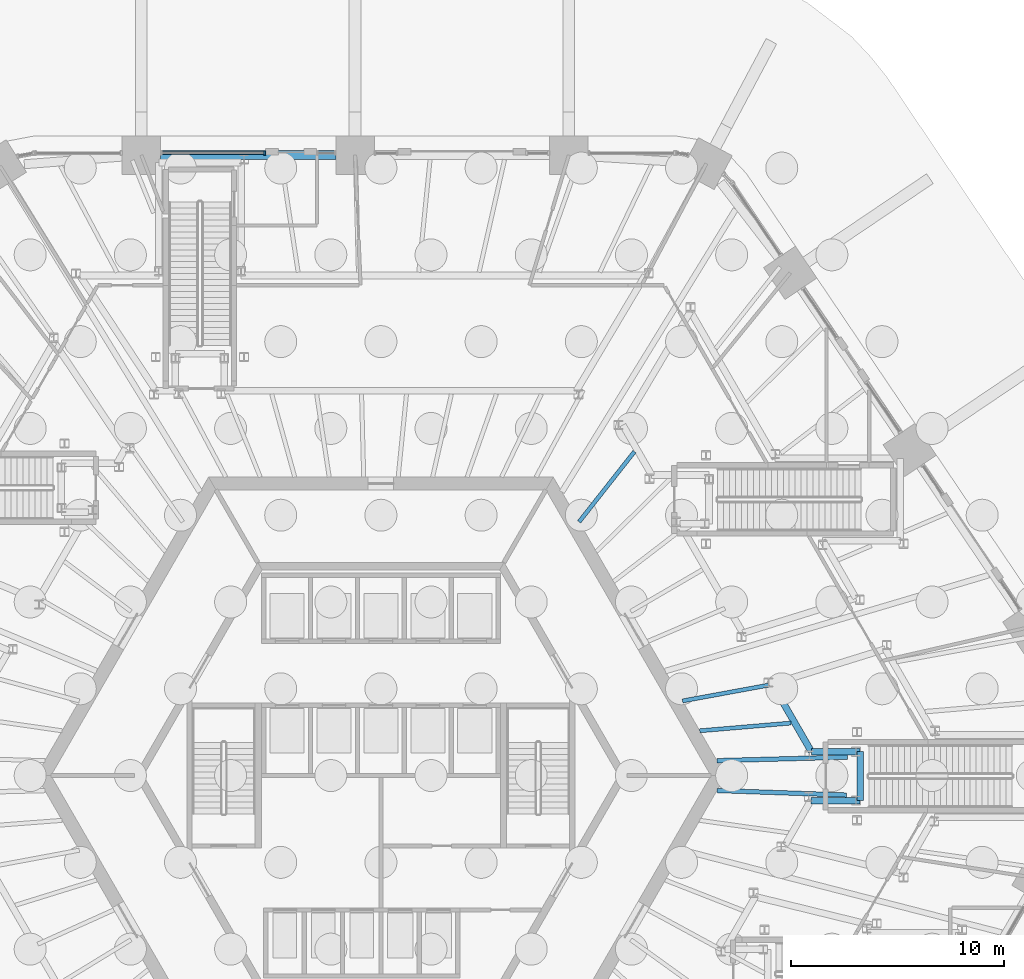
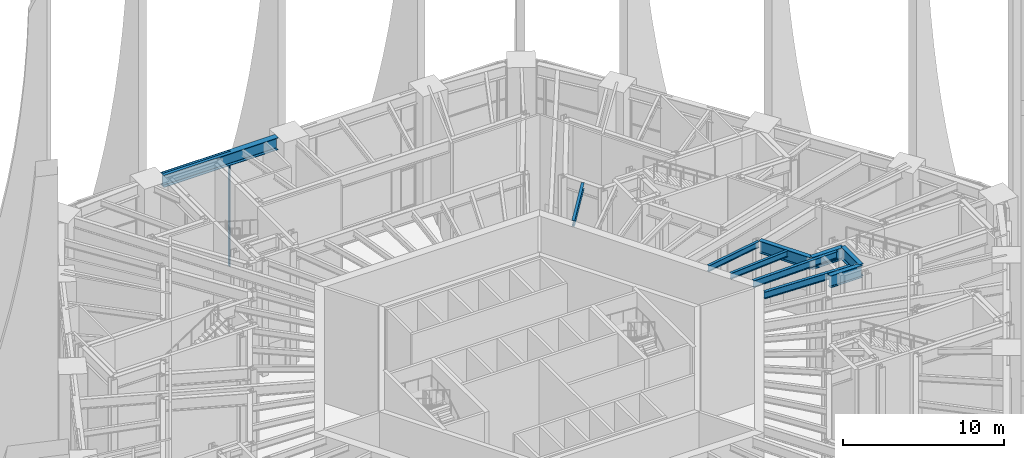
# One storey, part 11 of 43: 10 beams, 2 members, 1 element without a shape of its own.
"""IFC4 building model written with IfcOpenShell, lengths in metres."""

from ifc_helpers import new_model, si_unit, direction, frame, origin, origin_2d, place, context, subcontext, project, spatial, rectangle, i_section, extrude, material, material_profile, profile_set, type_object, element, aggregate, save


model = new_model("IFC4")

# Units and contexts
model_context = context("Model", 3, precision=1e-05, world=origin(), true_north=direction((0.0, 1.0)))
body_context = subcontext(model_context, "Body", "Model", "MODEL_VIEW")
ifc_project = project(units=[si_unit("LENGTHUNIT", "METRE"), si_unit("AREAUNIT", "SQUARE_METRE"), si_unit("VOLUMEUNIT", "CUBIC_METRE"), si_unit("PLANEANGLEUNIT", "RADIAN"), si_unit("MASSUNIT", "GRAM", prefix="KILO")], contexts=[model_context])

# Site, building, storey
site_placement = place(None, origin())
site = spatial("IfcSite", under=ifc_project, at=site_placement, CompositionType="ELEMENT")
building_placement = place(site_placement, origin())
building = spatial("IfcBuilding", under=site, at=building_placement, Name="Tarnside Tower", CompositionType="ELEMENT")
storey_placement = place(building_placement, origin())
storey = spatial("IfcBuildingStorey", under=building, at=storey_placement, Name="L00", CompositionType="ELEMENT", Elevation=0.0)

# Beams
ifc_material_1 = material(Name="Steel S355", Category="steel")
ifc_material_profile_1 = material_profile(ifc_material_1, i_section(OverallWidth=0.18994140625, OverallDepth=0.453369140625, WebThickness=0.008544921875, FlangeThickness=0.0126953125, FilletRadius=0.01025390625, at=origin_2d()), Name="UB 457x191x67")
ifc_profile_set_1 = profile_set([ifc_material_profile_1], Name="Steel S355")
beam_type_1 = type_object("IfcBeamType", Name="Floor beam UB 457x191x67", PredefinedType="BEAM", material=ifc_profile_set_1)
beam_1_placement = place(storey_placement, frame((19.23779296875, 2.4638671875, 8.523193359375), z_axis=(-0.996414931704, -0.084600732135, 0.0), x_axis=(0.084600732135, -0.996414931704, 0.0)))
element("IfcBeam", 1, at=beam_1_placement, inside=storey, type_object=beam_type_1, Name="Floor beam F6.01b", PredefinedType="BEAM", context=body_context, shape_type="SweptSolid", body=[
    extrude(i_section(OverallWidth=0.18994140625, OverallDepth=0.453369140625, WebThickness=0.008544921875, FlangeThickness=0.0126953125, FilletRadius=0.01025390625, at=origin_2d()), origin(), (0.0, 0.0, 1.0), 4.2998046875),
])
beam_2_placement = place(storey_placement, frame((18.208251953125, 4.246826171875, 8.523193359375), z_axis=(-0.98352487297, -0.180772852636, 0.0), x_axis=(0.180772852636, -0.98352487297, 0.0)))
element("IfcBeam", 2, at=beam_2_placement, inside=storey, type_object=beam_type_1, Name="Floor beam F6.02b", PredefinedType="BEAM", context=body_context, shape_type="SweptSolid", body=[
    extrude(i_section(OverallWidth=0.18994140625, OverallDepth=0.453369140625, WebThickness=0.008544921875, FlangeThickness=0.0126953125, FilletRadius=0.01025390625, at=origin_2d()), origin(), (0.0, 0.0, 1.0), 4.13134765625),
])
beam_3_placement = place(storey_placement, frame((11.889404296875, 15.191650390625, 8.523193359375), z_axis=(-0.618945197788, -0.785434174285, 0.0), x_axis=(0.785434174285, -0.618945197788, 0.0)))
element("IfcBeam", 3, at=beam_3_placement, inside=storey, type_object=beam_type_1, Name="Floor beam F6.08b", PredefinedType="BEAM", context=body_context, shape_type="SweptSolid", body=[
    extrude(i_section(OverallWidth=0.18994140625, OverallDepth=0.453369140625, WebThickness=0.008544921875, FlangeThickness=0.0126953125, FilletRadius=0.01025390625, at=origin_2d()), origin(), (0.0, 0.0, 1.0), 4.19091796875),
])
ifc_material_profile_2 = material_profile(ifc_material_1, i_section(OverallWidth=0.209228515625, OverallDepth=0.533203125, WebThickness=0.010009765625, FlangeThickness=0.015625, FilletRadius=0.0126953125, at=origin_2d()), Name="UB 533x210x92")
ifc_profile_set_2 = profile_set([ifc_material_profile_2], Name="Steel S355")
beam_type_2 = type_object("IfcBeamType", Name="Floor beam UB 533x210x92", PredefinedType="BEAM", material=ifc_profile_set_2)
beam_4_placement = place(storey_placement, frame((21.842529296875, -0.914306640625, 8.4833984375), z_axis=(-0.999379257229, 0.035229252333, 0.0), x_axis=(-0.035229252333, -0.999379257229, 0.0)))
element("IfcBeam", 4, at=beam_4_placement, inside=storey, type_object=beam_type_2, Name="Floor beam F5.09", PredefinedType="BEAM", context=body_context, shape_type="SweptSolid", body=[
    extrude(i_section(OverallWidth=0.209228515625, OverallDepth=0.533203125, WebThickness=0.010009765625, FlangeThickness=0.015625, FilletRadius=0.0126953125, at=origin_2d()), origin(), (0.0, 0.0, 1.0), 6.08447265625),
])
beam_5_placement = place(storey_placement, frame((21.882568359375, 0.8642578125, 8.4833984375), z_axis=(-0.999639900776, -0.026834097293, 0.0), x_axis=(0.026834097293, -0.999639900776, 0.0)))
element("IfcBeam", 5, at=beam_5_placement, inside=storey, type_object=beam_type_2, Name="Floor beam C5b", PredefinedType="BEAM", context=body_context, shape_type="SweptSolid", body=[
    extrude(i_section(OverallWidth=0.209228515625, OverallDepth=0.533203125, WebThickness=0.010009765625, FlangeThickness=0.015625, FilletRadius=0.0126953125, at=origin_2d()), origin(), (0.0, 0.0, 1.0), 6.123046875),
])
ifc_material_profile_3 = material_profile(ifc_material_1, i_section(OverallWidth=0.3076171875, OverallDepth=0.926513671875, WebThickness=0.01953125, FlangeThickness=0.031982421875, FilletRadius=0.01904296875, at=origin_2d()), Name="UB 914x305x289")
ifc_profile_set_3 = profile_set([ifc_material_profile_3], Name="Steel S355")
beam_type_3 = type_object("IfcBeamType", Name="Perimeter girder UB 914x305x289", PredefinedType="BEAM", material=ifc_profile_set_3)
beam_6_placement = place(storey_placement, frame((22.476318359375, 1.12109375, 8.28662109375), z_axis=(-1.0, 0.0, 0.0), x_axis=(0.0, -1.0, 0.0)))
element("IfcBeam", 6, at=beam_6_placement, inside=storey, type_object=beam_type_3, Name="Perimeter girder T1", PredefinedType="BEAM", context=body_context, shape_type="SweptSolid", body=[
    extrude(i_section(OverallWidth=0.3076171875, OverallDepth=0.926513671875, WebThickness=0.01953125, FlangeThickness=0.031982421875, FilletRadius=0.01904296875, at=origin_2d()), origin(), (0.0, 0.0, 1.0), 2.28564453125),
])
beam_7_placement = place(storey_placement, frame((20.190673828125, 1.12109375, 8.28662109375), z_axis=(-0.500026478444, 0.866010115908, 0.0), x_axis=(-0.866010115908, -0.500026478444, 0.0)))
element("IfcBeam", 7, at=beam_7_placement, inside=storey, type_object=beam_type_3, Name="Perimeter girder T2", PredefinedType="BEAM", context=body_context, shape_type="SweptSolid", body=[
    extrude(i_section(OverallWidth=0.3076171875, OverallDepth=0.926513671875, WebThickness=0.01953125, FlangeThickness=0.031982421875, FilletRadius=0.01904296875, at=origin_2d()), origin(), (0.0, 0.0, 1.0), 3.660888671875),
])
beam_8_placement = place(storey_placement, frame((20.16162109375, -1.171142578125, 8.28662109375), z_axis=(1.0, 0.0, 0.0), x_axis=(0.0, 1.0, 0.0)))
element("IfcBeam", 8, at=beam_8_placement, inside=storey, type_object=beam_type_3, Name="Perimeter girder T11", PredefinedType="BEAM", context=body_context, shape_type="SweptSolid", body=[
    extrude(i_section(OverallWidth=0.3076171875, OverallDepth=0.926513671875, WebThickness=0.01953125, FlangeThickness=0.031982421875, FilletRadius=0.01904296875, at=origin_2d()), origin(), (0.0, 0.0, 1.0), 2.314697265625),
])
beam_9_placement = place(storey_placement, frame((22.476318359375, -1.171142578125, 8.28662109375), z_axis=(0.0, 1.0, 0.0), x_axis=(-1.0, 0.0, 0.0)))
element("IfcBeam", 9, at=beam_9_placement, inside=storey, type_object=beam_type_3, Name="Perimeter girder T12", PredefinedType="BEAM", context=body_context, shape_type="SweptSolid", body=[
    extrude(i_section(OverallWidth=0.3076171875, OverallDepth=0.926513671875, WebThickness=0.01953125, FlangeThickness=0.031982421875, FilletRadius=0.01904296875, at=origin_2d()), origin(), (0.0, 0.0, 1.0), 2.292236328125),
])
ifc_material_2 = material(Name="Steel S460", Category="steel")
ifc_material_profile_4 = material_profile(ifc_material_2, i_section(OverallWidth=0.42041015625, OverallDepth=0.9208984375, WebThickness=0.021484375, FlangeThickness=0.03662109375, FilletRadius=0.024169921875, at=origin_2d()), Name="UB 914x419x388")
ifc_profile_set_4 = profile_set([ifc_material_profile_4], Name="Steel S460")
beam_type_4 = type_object("IfcBeamType", Name="Perimeter girder UB 914x419x388", PredefinedType="BEAM", material=ifc_profile_set_4)
beam_10_placement = place(storey_placement, frame((-2.111083984375, 29.10009765625, 8.28955078125), z_axis=(-1.0, 0.0, 0.0), x_axis=(0.0, -1.0, 0.0)))
element("IfcBeam", 10, at=beam_10_placement, inside=storey, type_object=beam_type_4, Name="Perimeter girder M02", PredefinedType="BEAM", context=body_context, shape_type="SweptSolid", body=[
    extrude(i_section(OverallWidth=0.42041015625, OverallDepth=0.9208984375, WebThickness=0.021484375, FlangeThickness=0.03662109375, FilletRadius=0.024169921875, at=origin_2d()), origin(), (0.0, 0.0, 1.0), 8.2236328125),
])

# Curtain wall, members
ifc_material_3 = material(Name="Station concourse glazing wall", Category="glass")
curtain_wall_type = type_object("IfcCurtainWallType", Name="Station concourse glazing wall", PredefinedType="NOTDEFINED", material=ifc_material_3)
curtain_wall_placement = place(storey_placement, origin())
curtain_wall = element("IfcCurtainWall", 11, at=curtain_wall_placement, inside=storey, type_object=curtain_wall_type, Name="Side light 010x1", PredefinedType="NOTDEFINED")
ifc_material_4 = material(Name="Aluminium alloy 6063", Category="aluminium")
ifc_material_profile_5 = material_profile(ifc_material_4, rectangle(XDim=0.199951171875, YDim=0.080078125, at=origin_2d()), Name="Station concourse glazing mullion 80 x 200")
ifc_profile_set_5 = profile_set([ifc_material_profile_5], Name="Aluminium alloy 6063")
member_type_1 = type_object("IfcMemberType", Name="Station concourse glazing mullion 80 x 200", PredefinedType="MULLION", material=ifc_profile_set_5)
member_1_placement = place(storey_placement, frame((-5.451171875, 29.199951171875, 0.0), z_axis=(0.0, 0.0, 1.0), x_axis=(0.0, -1.0, 0.0)))
member_1 = element("IfcMember", 12, at=member_1_placement, type_object=member_type_1, Name="CW1 mullion 1", PredefinedType="MULLION", context=body_context, shape_type="SweptSolid", body=[
    extrude(rectangle(XDim=0.199951171875, YDim=0.080078125, at=origin_2d()), origin(), (0.0, 0.0, 1.0), 8.75),
])
ifc_material_profile_6 = material_profile(ifc_material_4, rectangle(XDim=0.159912109375, YDim=0.080078125, at=origin_2d()), Name="Station concourse glazing transom 80 x 160")
ifc_profile_set_6 = profile_set([ifc_material_profile_6], Name="Aluminium alloy 6063")
member_type_2 = type_object("IfcMemberType", Name="Station concourse glazing transom 80 x 160", PredefinedType="USERDEFINED", material=ifc_profile_set_6)
member_2_placement = place(storey_placement, frame((-5.490966796875, 29.199951171875, 8.7099609375), z_axis=(-1.0, 0.0, 0.0), x_axis=(0.0, -1.0, 0.0)))
member_2 = element("IfcMember", 13, at=member_2_placement, type_object=member_type_2, Name="CW1 transom 1.4", ObjectType="TRANSOM", PredefinedType="USERDEFINED", context=body_context, shape_type="SweptSolid", body=[
    extrude(rectangle(XDim=0.159912109375, YDim=0.080078125, at=origin_2d()), origin(), (0.0, 0.0, 1.0), 4.763916015625),
])
aggregate(curtain_wall, [member_1, member_2])

save(model, "model.ifc")
